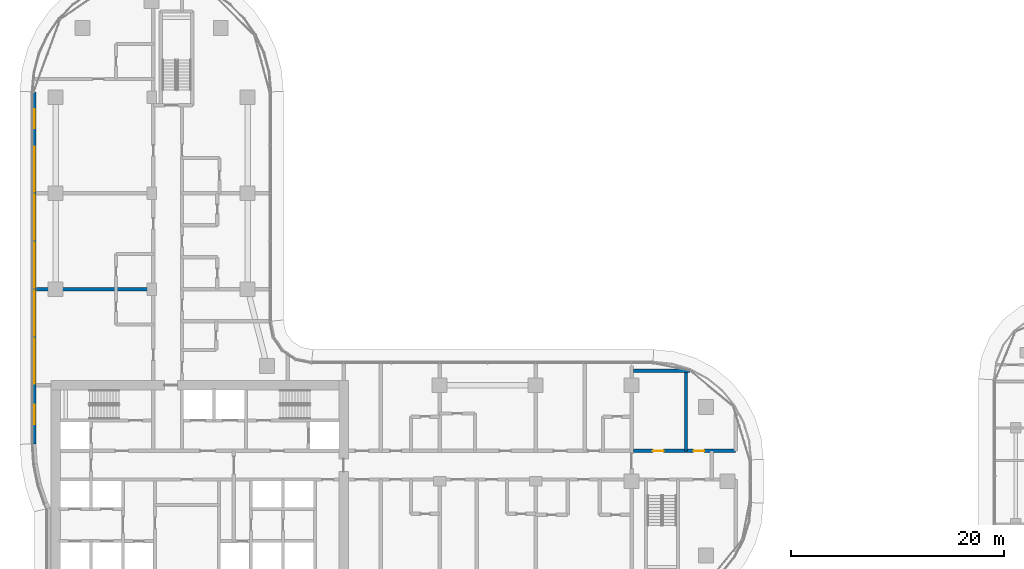
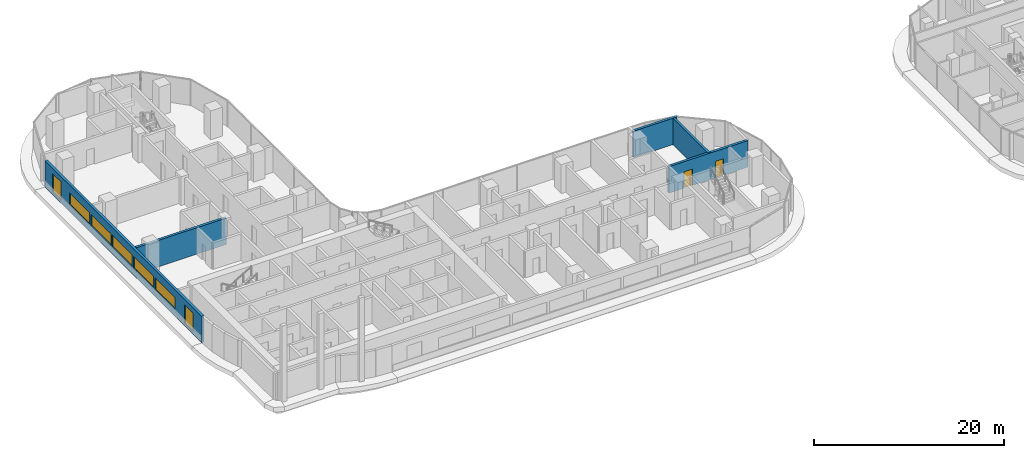
# One storey, part 20 of 36: 7 windows, 5 walls, 2 doors, 9 openings.
"""IFC4 building model written with IfcOpenShell, lengths in metres."""

from ifc_helpers import new_model, si_unit, direction, frame, frame_2d, origin, place, context, subcontext, project, spatial, rectangle, extrude, material, layer, layer_set, type_object, element, fill, save


model = new_model("IFC4")

# Units and contexts
model_context = context("Model", 3, precision=1e-05, world=origin(), true_north=direction((0.0, 1.0)))
body_context = subcontext(model_context, "Body", "Model", "MODEL_VIEW")
ifc_project = project(units=[si_unit("LENGTHUNIT", "METRE"), si_unit("AREAUNIT", "SQUARE_METRE"), si_unit("VOLUMEUNIT", "CUBIC_METRE"), si_unit("PLANEANGLEUNIT", "RADIAN"), si_unit("MASSUNIT", "GRAM", prefix="KILO")], contexts=[model_context])

# Site, building, storey
site_placement = place(None, origin())
site = spatial("IfcSite", under=ifc_project, at=site_placement, CompositionType="ELEMENT")
building_placement = place(site_placement, origin())
building = spatial("IfcBuilding", under=site, at=building_placement, Name="Ogive Portal Towers", CompositionType="ELEMENT")
storey_placement = place(building_placement, frame((0.0, 0.0, 52.0)))
storey = spatial("IfcBuildingStorey", under=building, at=storey_placement, Name="L11", CompositionType="ELEMENT", Elevation=52.0)

# Wall, openings, windows
ifc_material_1 = material(Name="Limestone cladding on lightweight block wall", Category="masonry")
ifc_layer_1 = layer(ifc_material_1, 0.300048828125)
ifc_layer_set_1 = layer_set([ifc_layer_1], Name="EXTERNAL WALL 300 STONE")
wall_type_1 = type_object("IfcWallType", Name="EXTERNAL WALL 300 STONE", PredefinedType="SOLIDWALL", material=ifc_layer_set_1)
wall_1_placement = place(storey_placement, frame((29.5048828125, 66.98583984375, 0.0), z_axis=(0.0, 0.0, 1.0), x_axis=(0.0, -1.0, 0.0)))
wall_1 = element("IfcWall", 1, at=wall_1_placement, inside=storey, type_object=wall_type_1, Name="A:L11:f28:r0:wall", PredefinedType="SOLIDWALL", context=body_context, shape_type="SweptSolid", body=[
    extrude(rectangle(XDim=32.97607421875, YDim=0.300048828125, at=frame_2d((16.488037109375, 0.0))), origin(), (0.0, 0.0, 1.0), 3.39990234375),
])
opening_1_placement = place(wall_1_placement, frame((1.593017578125, 0.0, 0.300048828125)))
opening_1 = element("IfcOpeningElement", 2, at=opening_1_placement, cuts=wall_1, Name="Opening WN10", PredefinedType="OPENING", context=body_context, shape_type="SweptSolid", body=[
    extrude(rectangle(XDim=1.800048828125, YDim=2.39990234375, at=frame_2d((0.89990234375, 1.199951171875))), frame((0.0, 0.16015625, 0.0), z_axis=(0.0, -1.0, 0.0), x_axis=(1.0, 0.0, 0.0)), (0.0, 0.0, 1.0), 0.320068359375),
])
opening_2_placement = place(wall_1_placement, frame((5.135986328125, 0.0, 0.89990234375)))
opening_2 = element("IfcOpeningElement", 3, at=opening_2_placement, cuts=wall_1, Name="Opening WN11", PredefinedType="OPENING", context=body_context, shape_type="SweptSolid", body=[
    extrude(rectangle(XDim=4.199951171875, YDim=1.5, at=frame_2d((2.10009765625, 0.75))), frame((0.0, 0.16015625, 0.0), z_axis=(0.0, -1.0, 0.0), x_axis=(1.0, 0.0, 0.0)), (0.0, 0.0, 1.0), 0.320068359375),
])
opening_3_placement = place(wall_1_placement, frame((9.635986328125, 0.0, 0.89990234375)))
opening_3 = element("IfcOpeningElement", 4, at=opening_3_placement, cuts=wall_1, Name="Opening WN11", PredefinedType="OPENING", context=body_context, shape_type="SweptSolid", body=[
    extrude(rectangle(XDim=4.199951171875, YDim=1.5, at=frame_2d((2.10009765625, 0.75))), frame((0.0, 0.16015625, 0.0), z_axis=(0.0, -1.0, 0.0), x_axis=(1.0, 0.0, 0.0)), (0.0, 0.0, 1.0), 0.320068359375),
])
opening_4_placement = place(wall_1_placement, frame((14.135986328125, 0.0, 0.89990234375)))
opening_4 = element("IfcOpeningElement", 5, at=opening_4_placement, cuts=wall_1, Name="Opening WN11", PredefinedType="OPENING", context=body_context, shape_type="SweptSolid", body=[
    extrude(rectangle(XDim=4.199951171875, YDim=1.5, at=frame_2d((2.10009765625, 0.75))), frame((0.0, 0.16015625, 0.0), z_axis=(0.0, -1.0, 0.0), x_axis=(1.0, 0.0, 0.0)), (0.0, 0.0, 1.0), 0.320068359375),
])
opening_5_placement = place(wall_1_placement, frame((18.635986328125, 0.0, 0.89990234375)))
opening_5 = element("IfcOpeningElement", 6, at=opening_5_placement, cuts=wall_1, Name="Opening WN11", PredefinedType="OPENING", context=body_context, shape_type="SweptSolid", body=[
    extrude(rectangle(XDim=4.199951171875, YDim=1.5, at=frame_2d((2.10009765625, 0.75))), frame((0.0, 0.16015625, 0.0), z_axis=(0.0, -1.0, 0.0), x_axis=(1.0, 0.0, 0.0)), (0.0, 0.0, 1.0), 0.320068359375),
])
opening_6_placement = place(wall_1_placement, frame((23.135986328125, 0.0, 0.89990234375)))
opening_6 = element("IfcOpeningElement", 7, at=opening_6_placement, cuts=wall_1, Name="Opening WN11", PredefinedType="OPENING", context=body_context, shape_type="SweptSolid", body=[
    extrude(rectangle(XDim=4.199951171875, YDim=1.5, at=frame_2d((2.10009765625, 0.75))), frame((0.0, 0.16015625, 0.0), z_axis=(0.0, -1.0, 0.0), x_axis=(1.0, 0.0, 0.0)), (0.0, 0.0, 1.0), 0.320068359375),
])
opening_7_placement = place(wall_1_placement, frame((29.3310546875, 0.0, 0.300048828125)))
opening_7 = element("IfcOpeningElement", 8, at=opening_7_placement, cuts=wall_1, Name="Opening WN10", PredefinedType="OPENING", context=body_context, shape_type="SweptSolid", body=[
    extrude(rectangle(XDim=1.800048828125, YDim=2.39990234375, at=frame_2d((0.89990234375, 1.199951171875))), frame((0.0, 0.16015625, 0.0), z_axis=(0.0, -1.0, 0.0), x_axis=(1.0, 0.0, 0.0)), (0.0, 0.0, 1.0), 0.320068359375),
])
ifc_material_2 = material(Name="Glass, clear low-iron insulated glazing", Category="glass")
window_type_1 = type_object("IfcWindowType", Name="WINDOW RIBBON 4200x1500", PartitioningType="TRIPLE_PANEL_VERTICAL", PredefinedType="WINDOW", material=ifc_material_2)
window_1_placement = place(opening_2_placement, origin())
window_1 = element("IfcWindow", 9, at=window_1_placement, inside=storey, type_object=window_type_1, Name="A:L11:f28:r0:w1", OverallHeight=1.5, OverallWidth=4.199951171875, PartitioningType="SINGLE_PANEL", PredefinedType="WINDOW", context=body_context, shape_type="SweptSolid", body=[
    extrude(rectangle(XDim=4.199951171875, YDim=1.5, at=frame_2d((2.10009765625, 0.75))), frame((0.0, 0.030029296875, 0.0), z_axis=(0.0, -1.0, 0.0), x_axis=(1.0, 0.0, 0.0)), (0.0, 0.0, 1.0), 0.06005859375),
])
fill(opening_2, window_1)
window_2_placement = place(opening_3_placement, origin())
window_2 = element("IfcWindow", 10, at=window_2_placement, inside=storey, type_object=window_type_1, Name="A:L11:f28:r0:w2", OverallHeight=1.5, OverallWidth=4.199951171875, PartitioningType="SINGLE_PANEL", PredefinedType="WINDOW", context=body_context, shape_type="SweptSolid", body=[
    extrude(rectangle(XDim=4.199951171875, YDim=1.5, at=frame_2d((2.10009765625, 0.75))), frame((0.0, 0.030029296875, 0.0), z_axis=(0.0, -1.0, 0.0), x_axis=(1.0, 0.0, 0.0)), (0.0, 0.0, 1.0), 0.06005859375),
])
fill(opening_3, window_2)
window_3_placement = place(opening_4_placement, origin())
window_3 = element("IfcWindow", 11, at=window_3_placement, inside=storey, type_object=window_type_1, Name="A:L11:f28:r0:w3", OverallHeight=1.5, OverallWidth=4.199951171875, PartitioningType="SINGLE_PANEL", PredefinedType="WINDOW", context=body_context, shape_type="SweptSolid", body=[
    extrude(rectangle(XDim=4.199951171875, YDim=1.5, at=frame_2d((2.10009765625, 0.75))), frame((0.0, 0.030029296875, 0.0), z_axis=(0.0, -1.0, 0.0), x_axis=(1.0, 0.0, 0.0)), (0.0, 0.0, 1.0), 0.06005859375),
])
fill(opening_4, window_3)
window_4_placement = place(opening_5_placement, origin())
window_4 = element("IfcWindow", 12, at=window_4_placement, inside=storey, type_object=window_type_1, Name="A:L11:f28:r0:w4", OverallHeight=1.5, OverallWidth=4.199951171875, PartitioningType="SINGLE_PANEL", PredefinedType="WINDOW", context=body_context, shape_type="SweptSolid", body=[
    extrude(rectangle(XDim=4.199951171875, YDim=1.5, at=frame_2d((2.10009765625, 0.75))), frame((0.0, 0.030029296875, 0.0), z_axis=(0.0, -1.0, 0.0), x_axis=(1.0, 0.0, 0.0)), (0.0, 0.0, 1.0), 0.06005859375),
])
fill(opening_5, window_4)
window_5_placement = place(opening_6_placement, origin())
window_5 = element("IfcWindow", 13, at=window_5_placement, inside=storey, type_object=window_type_1, Name="A:L11:f28:r0:w5", OverallHeight=1.5, OverallWidth=4.199951171875, PartitioningType="SINGLE_PANEL", PredefinedType="WINDOW", context=body_context, shape_type="SweptSolid", body=[
    extrude(rectangle(XDim=4.199951171875, YDim=1.5, at=frame_2d((2.10009765625, 0.75))), frame((0.0, 0.030029296875, 0.0), z_axis=(0.0, -1.0, 0.0), x_axis=(1.0, 0.0, 0.0)), (0.0, 0.0, 1.0), 0.06005859375),
])
fill(opening_6, window_5)
window_type_2 = type_object("IfcWindowType", Name="WINDOW SUITE CORNER 1800x2400", PartitioningType="DOUBLE_PANEL_VERTICAL", PredefinedType="WINDOW", material=ifc_material_2)
window_6_placement = place(opening_1_placement, origin())
window_6 = element("IfcWindow", 14, at=window_6_placement, inside=storey, type_object=window_type_2, Name="A:L11:f28:r0:w0", OverallHeight=2.39990234375, OverallWidth=1.800048828125, PartitioningType="SINGLE_PANEL", PredefinedType="WINDOW", context=body_context, shape_type="SweptSolid", body=[
    extrude(rectangle(XDim=1.800048828125, YDim=2.39990234375, at=frame_2d((0.89990234375, 1.199951171875))), frame((0.0, 0.030029296875, 0.0), z_axis=(0.0, -1.0, 0.0), x_axis=(1.0, 0.0, 0.0)), (0.0, 0.0, 1.0), 0.06005859375),
])
fill(opening_1, window_6)
window_7_placement = place(opening_7_placement, origin())
window_7 = element("IfcWindow", 15, at=window_7_placement, inside=storey, type_object=window_type_2, Name="A:L11:f28:r0:w6", OverallHeight=2.39990234375, OverallWidth=1.800048828125, PartitioningType="SINGLE_PANEL", PredefinedType="WINDOW", context=body_context, shape_type="SweptSolid", body=[
    extrude(rectangle(XDim=1.800048828125, YDim=2.39990234375, at=frame_2d((0.89990234375, 1.199951171875))), frame((0.0, 0.030029296875, 0.0), z_axis=(0.0, -1.0, 0.0), x_axis=(1.0, 0.0, 0.0)), (0.0, 0.0, 1.0), 0.06005859375),
])
fill(opening_7, window_7)

# Wall, openings, doors
ifc_material_3 = material(Name="Gypsum board partition on steel studs", Category="steel")
ifc_layer_2 = layer(ifc_material_3, 0.300048828125)
ifc_layer_set_2 = layer_set([ifc_layer_2], Name="WT-PART-300-EI 120")
wall_type_2 = type_object("IfcWallType", Name="WT-PART-300-EI 120", PredefinedType="PARTITIONING", material=ifc_layer_set_2)
wall_2_placement = place(storey_placement, frame((85.669921875, 33.35009765625, 0.0), z_axis=(0.0, 0.0, 1.0), x_axis=(1.0, 0.0, 0.0)))
wall_2 = element("IfcWall", 16, at=wall_2_placement, inside=storey, type_object=wall_type_2, Name="Wall L11:w009", PredefinedType="PARTITIONING", context=body_context, shape_type="SweptSolid", body=[
    extrude(rectangle(XDim=9.580078125, YDim=0.300048828125, at=frame_2d((4.7900390625, 0.0))), origin(), (0.0, 0.0, 1.0), 3.39990234375),
])
opening_8_placement = place(wall_2_placement, frame((1.830078125, 0.0, 0.0)))
opening_8 = element("IfcOpeningElement", 17, at=opening_8_placement, cuts=wall_2, Name="Opening D03-059", PredefinedType="OPENING", context=body_context, shape_type="SweptSolid", body=[
    extrude(rectangle(XDim=1.0, YDim=2.10009765625, at=frame_2d((0.5, 1.050048828125))), frame((0.0, 0.16015625, 0.0), z_axis=(0.0, -1.0, 0.0), x_axis=(1.0, 0.0, 0.0)), (0.0, 0.0, 1.0), 0.320068359375),
])
opening_9_placement = place(wall_2_placement, frame((5.6298828125, 0.0, 0.0)))
opening_9 = element("IfcOpeningElement", 18, at=opening_9_placement, cuts=wall_2, Name="Opening D03-060", PredefinedType="OPENING", context=body_context, shape_type="SweptSolid", body=[
    extrude(rectangle(XDim=1.0, YDim=2.10009765625, at=frame_2d((0.5, 1.050048828125))), frame((0.0, 0.16015625, 0.0), z_axis=(0.0, -1.0, 0.0), x_axis=(1.0, 0.0, 0.0)), (0.0, 0.0, 1.0), 0.320068359375),
])
ifc_material_4 = material(Name="Steel fire door", Category="steel")
door_type = type_object("IfcDoorType", Name="DT-SERVICE-1000x2100-FD90S", OperationType="SINGLE_SWING_LEFT", PredefinedType="DOOR", material=ifc_material_4)
door_1_placement = place(opening_8_placement, origin())
door_1 = element("IfcDoor", 19, at=door_1_placement, inside=storey, type_object=door_type, Name="Door D03-059", OperationType="SINGLE_SWING_LEFT", OverallHeight=2.10009765625, OverallWidth=1.0, PredefinedType="DOOR", context=body_context, shape_type="SweptSolid", body=[
    extrude(rectangle(XDim=1.0, YDim=2.10009765625, at=frame_2d((0.5, 1.050048828125))), frame((0.0, 0.02490234375, 0.0), z_axis=(0.0, -1.0, 0.0), x_axis=(1.0, 0.0, 0.0)), (0.0, 0.0, 1.0), 0.050048828125),
])
fill(opening_8, door_1)
door_2_placement = place(opening_9_placement, origin())
door_2 = element("IfcDoor", 20, at=door_2_placement, inside=storey, type_object=door_type, Name="Riser access door D03-060", OperationType="SINGLE_SWING_RIGHT", OverallHeight=2.10009765625, OverallWidth=1.0, PredefinedType="DOOR", context=body_context, shape_type="SweptSolid", body=[
    extrude(rectangle(XDim=1.0, YDim=2.10009765625, at=frame_2d((0.5, 1.050048828125))), frame((0.0, 0.02490234375, 0.0), z_axis=(0.0, -1.0, 0.0), x_axis=(1.0, 0.0, 0.0)), (0.0, 0.0, 1.0), 0.050048828125),
])
fill(opening_9, door_2)

# Walls
ifc_layer_3 = layer(ifc_material_3, 0.300048828125)
ifc_layer_set_3 = layer_set([ifc_layer_3], Name="WT-PART-300-EI 60")
wall_type_3 = type_object("IfcWallType", Name="WT-PART-300-EI 60", PredefinedType="PARTITIONING", material=ifc_layer_set_3)
wall_3_placement = place(storey_placement, frame((85.669921875, 40.85009765625, 0.0), z_axis=(0.0, 0.0, 1.0), x_axis=(1.0, 0.0, 0.0)))
element("IfcWall", 21, at=wall_3_placement, inside=storey, type_object=wall_type_3, Name="Wall L11:w014", PredefinedType="PARTITIONING", context=body_context, shape_type="SweptSolid", body=[
    extrude(rectangle(XDim=5.2919921875, YDim=0.300048828125, at=frame_2d((2.64599609375, 0.0))), origin(), (0.0, 0.0, 1.0), 3.39990234375),
])
wall_4_placement = place(storey_placement, frame((29.705078125, 48.5, 0.0), z_axis=(0.0, 0.0, 1.0), x_axis=(1.0, 0.0, 0.0)))
element("IfcWall", 22, at=wall_4_placement, inside=storey, type_object=wall_type_3, Name="Wall L11:w018", PredefinedType="PARTITIONING", context=body_context, shape_type="SweptSolid", body=[
    extrude(rectangle(XDim=10.94482421875, YDim=0.300048828125, at=frame_2d((5.472412109375, 0.0))), origin(), (0.0, 0.0, 1.0), 3.39990234375),
])
wall_5_placement = place(storey_placement, frame((90.60009765625, 33.35009765625, 0.0), z_axis=(0.0, 0.0, 1.0), x_axis=(0.0, 1.0, 0.0)))
element("IfcWall", 23, at=wall_5_placement, inside=storey, type_object=wall_type_3, Name="Wall L11:w062", PredefinedType="PARTITIONING", context=body_context, shape_type="SweptSolid", body=[
    extrude(rectangle(XDim=7.35400390625, YDim=0.300048828125, at=frame_2d((3.677001953125, 0.0))), origin(), (0.0, 0.0, 1.0), 3.39990234375),
])

save(model, "model.ifc")
